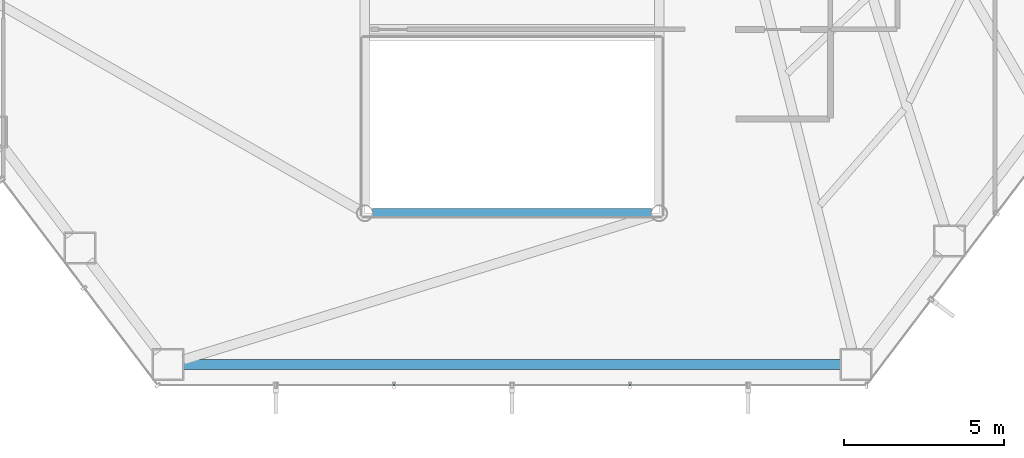
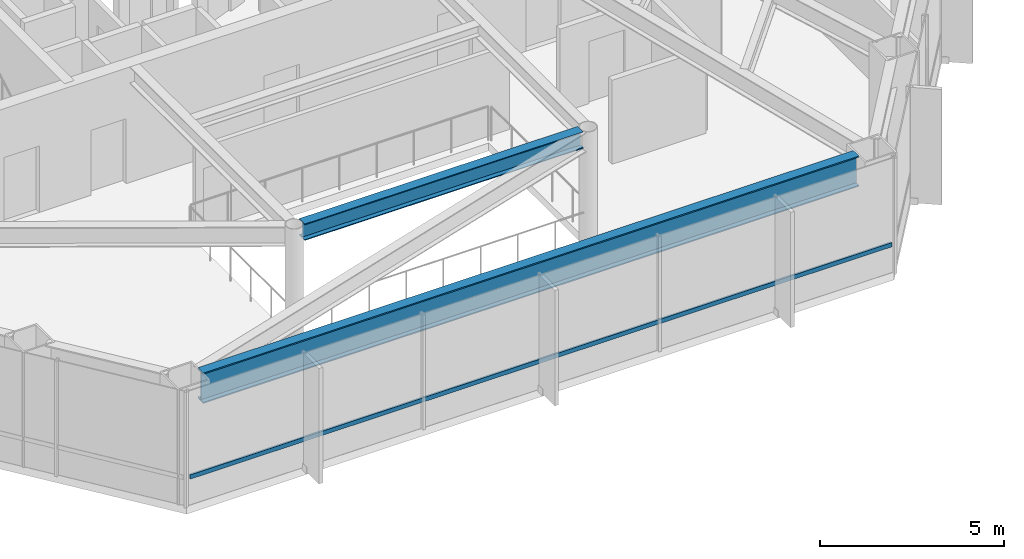
# One storey, part 7 of 25: 2 beams, 1 member, 1 element without a shape of its own.
"""IFC4 building model written with IfcOpenShell, lengths in metres."""

from ifc_helpers import new_model, si_unit, direction, frame, origin, origin_2d, place, context, subcontext, project, spatial, hollow_rectangle, i_section, extrude, material, layer, layer_set, material_profile, profile_set, type_object, element, aggregate, save


model = new_model("IFC4")

# Units and contexts
model_context = context("Model", 3, precision=1e-05, world=origin(), true_north=direction((0.0, 1.0)))
body_context = subcontext(model_context, "Body", "Model", "MODEL_VIEW")
ifc_project = project(units=[si_unit("LENGTHUNIT", "METRE"), si_unit("AREAUNIT", "SQUARE_METRE"), si_unit("VOLUMEUNIT", "CUBIC_METRE"), si_unit("PLANEANGLEUNIT", "RADIAN"), si_unit("MASSUNIT", "GRAM", prefix="KILO")], contexts=[model_context])

# Site, building, storey
site_placement = place(None, origin())
site = spatial("IfcSite", under=ifc_project, at=site_placement, CompositionType="ELEMENT")
building_placement = place(site_placement, origin())
building = spatial("IfcBuilding", under=site, at=building_placement, Name="Zarrinselat Tower", CompositionType="ELEMENT")
storey_placement = place(building_placement, frame((0.0, 0.0, 39.780029296875)))
storey = spatial("IfcBuildingStorey", under=building, at=storey_placement, Name="L09", CompositionType="ELEMENT", Elevation=39.780029296875)

# Beams
ifc_material_1 = material(Name="Steel S355J2", Category="steel")
ifc_material_profile_1 = material_profile(ifc_material_1, i_section(OverallWidth=0.300048828125, OverallDepth=0.550048828125, WebThickness=0.014892578125, FlangeThickness=0.029052734375, at=origin_2d()), Name="HEB 550")
ifc_profile_set_1 = profile_set([ifc_material_profile_1], Name="Steel S355J2")
beam_type_1 = type_object("IfcBeamType", Name="BM-HEB550", PredefinedType="BEAM", material=ifc_profile_set_1)
beam_1_placement = place(storey_placement, frame((34.0400390625, 24.39990234375, 3.544921875), z_axis=(1.0, 0.0, 0.0), x_axis=(0.0, 1.0, 0.0)))
element("IfcBeam", 1, at=beam_1_placement, inside=storey, type_object=beam_type_1, Name="L09 Atrium Edge Beam S", PredefinedType="BEAM", context=body_context, shape_type="SweptSolid", body=[
    extrude(i_section(OverallWidth=0.300048828125, OverallDepth=0.550048828125, WebThickness=0.014892578125, FlangeThickness=0.029052734375, at=origin_2d()), origin(), (0.0, 0.0, 1.0), 8.719970703125),
])
ifc_material_2 = material(Name="Steel S460M", Category="steel")
ifc_material_profile_2 = material_profile(ifc_material_2, i_section(OverallWidth=0.302001953125, OverallDepth=1.008056640625, WebThickness=0.02099609375, FlangeThickness=0.0400390625, at=origin_2d()), Name="HEM 1000")
ifc_profile_set_2 = profile_set([ifc_material_profile_2], Name="Steel S460M")
beam_type_2 = type_object("IfcBeamType", Name="BM-HEM1000", PredefinedType="BEAM", material=ifc_profile_set_2)
beam_2_placement = place(storey_placement, frame((28.136474609375, 19.6728515625, 3.31591796875), z_axis=(1.0, 0.0, 0.0), x_axis=(0.0, 1.0, 0.0)))
element("IfcBeam", 2, at=beam_2_placement, inside=storey, type_object=beam_type_2, Name="L09 Perimeter Spandrel Girder SP10", PredefinedType="BEAM", context=body_context, shape_type="SweptSolid", body=[
    extrude(i_section(OverallWidth=0.302001953125, OverallDepth=1.008056640625, WebThickness=0.02099609375, FlangeThickness=0.0400390625, at=origin_2d()), origin(), (0.0, 0.0, 1.0), 20.527099609375),
])

# Curtain wall, member
ifc_material_3 = material(Name="Extruded Aluminium Alloy EN AW-6063 T6", Category="aluminium")
ifc_layer = layer(ifc_material_3, 0.18505859375)
ifc_layer_set = layer_set([ifc_layer], Name="Extruded Aluminium Alloy EN AW-6063 T6")
curtain_wall_type = type_object("IfcCurtainWallType", Name="CWS-OFF", PredefinedType="NOTDEFINED", material=ifc_layer_set)
curtain_wall_placement = place(storey_placement, origin())
curtain_wall = element("IfcCurtainWall", 3, at=curtain_wall_placement, inside=storey, type_object=curtain_wall_type, Name="L09 Unitised Curtain Wall CW-L09-E04", PredefinedType="NOTDEFINED")
ifc_material_4 = material(Name="Extruded Aluminium Alloy EN AW-6063 T6", Category="aluminium")
ifc_material_profile_3 = material_profile(ifc_material_4, hollow_rectangle(XDim=0.06005859375, YDim=0.139892578125, WallThickness=0.00390625, at=origin_2d()), Name="RHS 140x60x4")
ifc_profile_set_3 = profile_set([ifc_material_profile_3], Name="Extruded Aluminium Alloy EN AW-6063 T6")
member_type = type_object("IfcMemberType", Name="MEM-CW-TRN", PredefinedType="USERDEFINED", material=ifc_profile_set_3)
member_placement = place(storey_placement, frame((27.415283203125, 19.02294921875, 0.949951171875), z_axis=(1.0, 0.0, 0.0), x_axis=(0.0, 1.0, 0.0)))
member = element("IfcMember", 4, at=member_placement, type_object=member_type, Name="CW-L09-E04 Transom 1", ObjectType="TRANSOM", PredefinedType="USERDEFINED", context=body_context, shape_type="SweptSolid", body=[
    extrude(hollow_rectangle(XDim=0.06005859375, YDim=0.139892578125, WallThickness=0.00390625, at=origin_2d()), origin(), (0.0, 0.0, 1.0), 21.96923828125),
])
aggregate(curtain_wall, [member])

save(model, "model.ifc")
